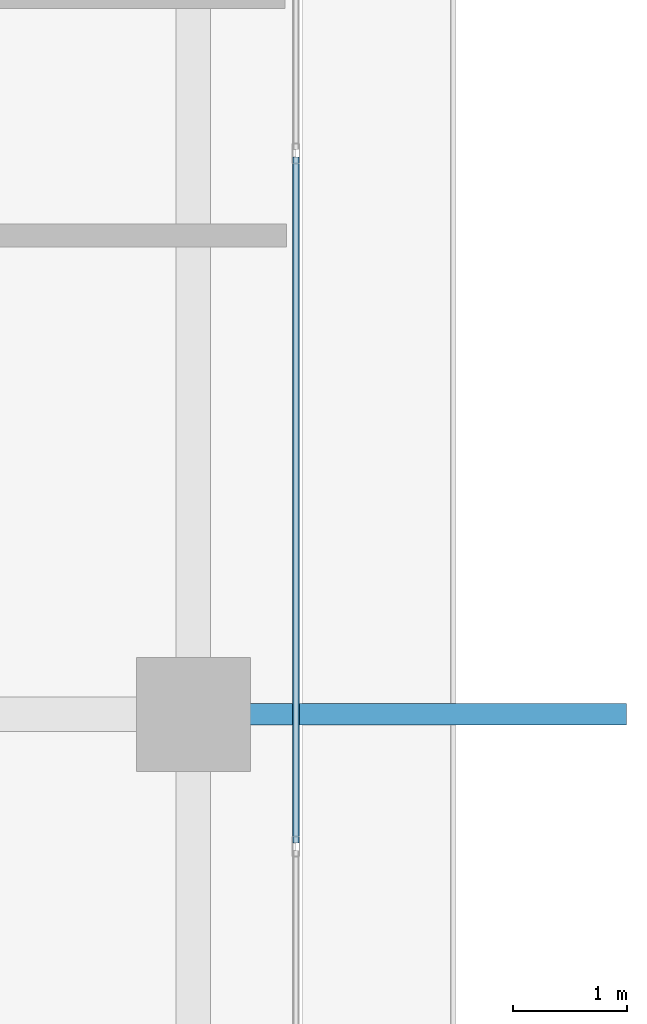
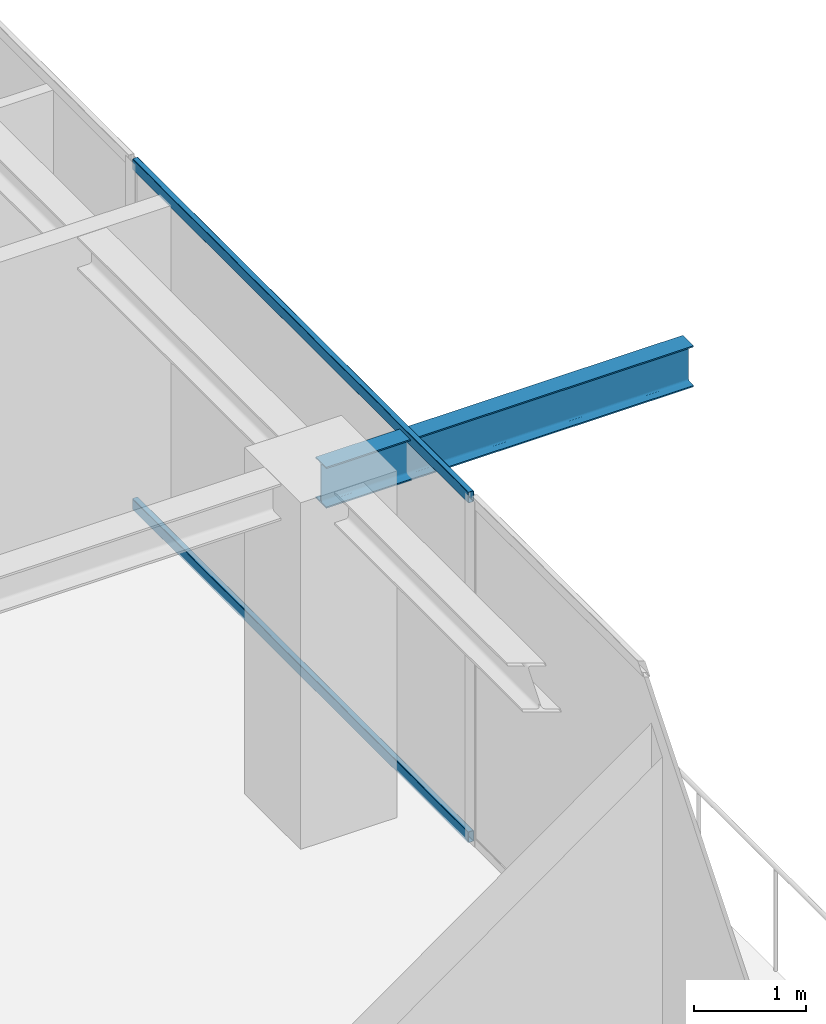
# One storey, part 16 of 38: 2 members, 1 beam, 1 element without a shape of its own.
"""IFC4 building model written with IfcOpenShell, lengths in metres."""

from ifc_helpers import new_model, si_unit, direction, frame, origin, origin_2d, place, context, subcontext, project, spatial, hollow_rectangle, i_section, extrude, source, transform, mapped, material, layer, layer_set, material_profile, profile_set, type_object, element, aggregate, save


model = new_model("IFC4")

# Units and contexts
model_context = context("Model", 3, precision=1e-05, world=origin(), true_north=direction((0.0, 1.0)))
body_context = subcontext(model_context, "Body", "Model", "MODEL_VIEW")
ifc_project = project(units=[si_unit("LENGTHUNIT", "METRE"), si_unit("AREAUNIT", "SQUARE_METRE"), si_unit("VOLUMEUNIT", "CUBIC_METRE"), si_unit("PLANEANGLEUNIT", "RADIAN"), si_unit("MASSUNIT", "GRAM", prefix="KILO")], contexts=[model_context])

# Site, building, storey
site_placement = place(None, origin())
site = spatial("IfcSite", under=ifc_project, at=site_placement, CompositionType="ELEMENT")
building_placement = place(site_placement, origin())
building = spatial("IfcBuilding", under=site, at=building_placement, Name="Serunith Strait Residences", CompositionType="ELEMENT")
storey_placement = place(building_placement, frame((0.0, 0.0, 321.800048828125)))
storey = spatial("IfcBuildingStorey", under=building, at=storey_placement, Name="L80", CompositionType="ELEMENT", Elevation=321.800048828125)

# Beam
ifc_material_1 = material(Name="Steel S355J2", Category="steel")
ifc_material_profile_1 = material_profile(ifc_material_1, i_section(OverallWidth=0.18994140625, OverallDepth=0.449951171875, WebThickness=0.009521484375, FlangeThickness=0.0146484375, FilletRadius=0.02099609375, at=origin_2d()), Name="IPE 450")
ifc_profile_set_1 = profile_set([ifc_material_profile_1], Name="Steel S355J2")
beam_type = type_object("IfcBeamType", Name="BM-IPE450", PredefinedType="JOIST", material=ifc_profile_set_1)
shared_shape_1 = source(origin(), body_context, "Body", "SweptSolid", [
    extrude(i_section(OverallWidth=0.18994140625, OverallDepth=0.449951171875, WebThickness=0.009521484375, FlangeThickness=0.0146484375, FilletRadius=0.02099609375, at=origin_2d()), origin(), (0.0, 0.0, 1.0), 3.800048828125),
])
beam_placement = place(storey_placement, frame((54.699951171875, 29.39990234375, 3.531982421875), z_axis=(1.0, 0.0, 0.0), x_axis=(0.0, 1.0, 0.0)))
element("IfcBeam", 1, at=beam_placement, inside=storey, type_object=beam_type, Name="L81 Cantilevered Balcony Rib TC-E3", PredefinedType="JOIST", context=body_context, shape_type="MappedRepresentation", body=[
    mapped(shared_shape_1, transform((0.0, 0.0, 0.0), scale=1.0)),
])

# Curtain wall, members
ifc_material_2 = material(Name="Brushed Stainless-Silver Aluminium", Category="aluminium")
ifc_layer = layer(ifc_material_2, 0.199951171875, Name="Brushed Stainless-Silver Aluminium")
ifc_layer_set = layer_set([ifc_layer], Name="Brushed Stainless-Silver Aluminium")
curtain_wall_type = type_object("IfcCurtainWallType", Name="CW-SYS5", PredefinedType="NOTDEFINED", material=ifc_layer_set)
curtain_wall_placement = place(storey_placement, origin())
curtain_wall = element("IfcCurtainWall", 2, at=curtain_wall_placement, inside=storey, type_object=curtain_wall_type, Name="L80 E Unitised Fritted Curtain Wall", PredefinedType="NOTDEFINED")
ifc_material_profile_2 = material_profile(ifc_material_2, hollow_rectangle(XDim=0.06005859375, YDim=0.1201171875, WallThickness=0.00341796875, InnerFilletRadius=0.00537109375, OuterFilletRadius=0.0087890625, at=origin_2d()), Name="ALU 120x60x3.5")
ifc_profile_set_2 = profile_set([ifc_material_profile_2], Name="Brushed Stainless-Silver Aluminium")
member_type = type_object("IfcMemberType", Name="CW-SYS5-TRAN", PredefinedType="USERDEFINED", material=ifc_profile_set_2)
shared_shape_2 = source(origin(), body_context, "Body", "SweptSolid", [
    extrude(hollow_rectangle(XDim=0.06005859375, YDim=0.1201171875, WallThickness=0.00341796875, InnerFilletRadius=0.00537109375, OuterFilletRadius=0.0087890625, at=origin_2d()), origin(), (0.0, 0.0, 1.0), 6.01513671875),
])
member_1_placement = place(storey_placement, frame((55.60009765625, 28.2724609375, 0.030029296875), z_axis=(0.0, 1.0, 0.0), x_axis=(-1.0, 0.0, 0.0)))
member_1 = element("IfcMember", 3, at=member_1_placement, type_object=member_type, Name="CW-5 transom 4.1", ObjectType="TRANSOM", PredefinedType="USERDEFINED", context=body_context, shape_type="MappedRepresentation", body=[
    mapped(shared_shape_2, transform((0.0, 0.0, 0.0), scale=1.0)),
])
member_2_placement = place(storey_placement, frame((55.60009765625, 28.2724609375, 3.744873046875), z_axis=(0.0, 1.0, 0.0), x_axis=(-1.0, 0.0, 0.0)))
member_2 = element("IfcMember", 4, at=member_2_placement, type_object=member_type, Name="CW-5 transom 4.2", ObjectType="TRANSOM", PredefinedType="USERDEFINED", context=body_context, shape_type="MappedRepresentation", body=[
    mapped(shared_shape_2, transform((0.0, 0.0, 0.0), scale=1.0)),
])
aggregate(curtain_wall, [member_1, member_2])

save(model, "model.ifc")
